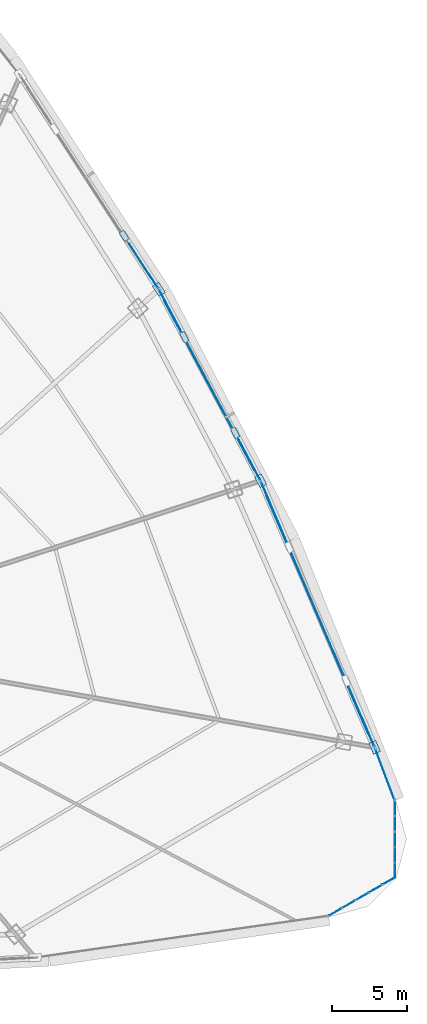
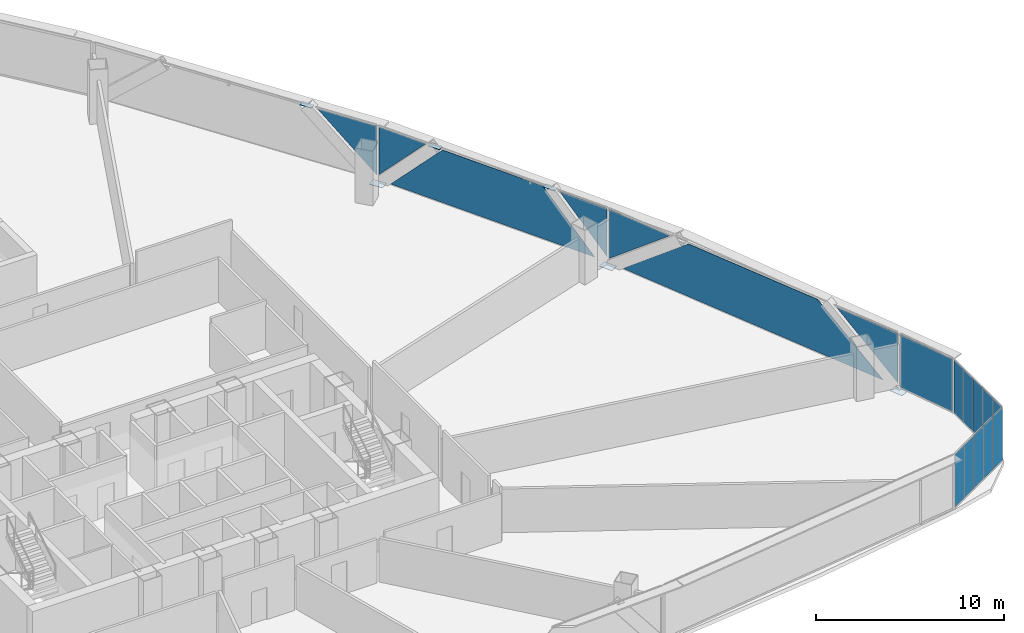
# One storey, part 30 of 39: 24 plates, 6 elements without a shape of their own.
"""IFC4 building model written with IfcOpenShell, lengths in metres."""

import ifcopenshell
import ifcopenshell.guid

model = None  # the IFC model being written
_history = None  # IfcOwnerHistory: only IFC2X3 demands one
_inside = {}  # id of a spatial element -> (the spatial element, [elements in it])
_under = {}  # id of a project, library or spatial element -> (it, [spatial elements below it])
_declared = {}  # id of a project -> (the project, [libraries it declares])
_typed = {}  # id of a type object -> (the type object, [elements of that type])
_made_of = {}  # id of a material, layer set ... -> (it, [elements and type objects made of it])


def new_model(schema):
    """Start an empty IFC model of exactly this schema.

    Asked for "IFC4X3", IfcOpenShell would pick the latest addendum, in which some entities
    have other attributes; the version numbers below select the first issue.
    IFC2X3 requires an IfcOwnerHistory on every rooted entity: one is made here for all.
    """
    global model, _history
    if schema == "IFC4X3":
        model = ifcopenshell.file(schema_version=(4, 3, 0, 0))
    else:
        model = ifcopenshell.file(schema=schema)
    _inside.clear()
    _under.clear()
    _declared.clear()
    _typed.clear()
    _made_of.clear()
    _history = None
    if model.schema == "IFC2X3":
        org = make("IfcOrganization", Name="unknown")
        user = make(
            "IfcPersonAndOrganization",
            ThePerson=make("IfcPerson", FamilyName="unknown"),
            TheOrganization=org,
        )
        app = make(
            "IfcApplication",
            ApplicationDeveloper=org,
            Version="unknown",
            ApplicationFullName="unknown",
            ApplicationIdentifier="unknown",
        )
        _history = make(
            "IfcOwnerHistory",
            OwningUser=user,
            OwningApplication=app,
            ChangeAction="ADDED",
            CreationDate=0,
        )
    return model


def make(cls, **values):
    """One entity of the class cls with the attributes given. An attribute that is None is left unset."""
    return model.create_entity(
        cls, **{name: value for name, value in values.items() if value is not None}
    )


def rooted(cls, **values):
    """An entity with a GlobalId (a new one), such as an element, a storey or a relation."""
    return make(cls, GlobalId=ifcopenshell.guid.new(), OwnerHistory=_history, **values)


def si_unit(unit_type, name, prefix=None):
    """IfcSIUnit, for example si_unit("LENGTHUNIT", "METRE", prefix="MILLI")."""
    return make("IfcSIUnit", UnitType=unit_type, Prefix=prefix, Name=name)


def assignment(units):
    """IfcUnitAssignment: the units of a project."""
    return None if units is None else make("IfcUnitAssignment", Units=units)


def point(xyz):
    """IfcCartesianPoint."""
    return None if xyz is None else make("IfcCartesianPoint", Coordinates=xyz)


def direction(xyz):
    """IfcDirection."""
    return None if xyz is None else make("IfcDirection", DirectionRatios=xyz)


def frame(location, z_axis=None, x_axis=None):
    """IfcAxis2Placement3D, a coordinate frame: its origin and axes. An axis left out is left unset."""
    return make(
        "IfcAxis2Placement3D",
        Location=point(location),
        Axis=direction(z_axis),
        RefDirection=direction(x_axis),
    )


def frame_2d(location, x_axis=None):
    """IfcAxis2Placement2D, a coordinate frame in the plane: its origin and x axis."""
    return make(
        "IfcAxis2Placement2D", Location=point(location), RefDirection=direction(x_axis)
    )


def origin():
    """The frame at (0, 0, 0) with its axes left unset."""
    return frame((0.0, 0.0, 0.0))


def origin_2d():
    """The frame at (0, 0) in the plane with its x axis left unset."""
    return frame_2d((0.0, 0.0))


def place(relative_to, where):
    """IfcLocalPlacement: puts the frame where relative to a parent placement (None: the world)."""
    return make(
        "IfcLocalPlacement", PlacementRelTo=relative_to, RelativePlacement=where
    )


def context(
    kind, dimensions, precision=None, world=None, true_north=None, identifier=None
):
    """IfcGeometricRepresentationContext, for example the 3D "Model" context."""
    return make(
        "IfcGeometricRepresentationContext",
        ContextIdentifier=identifier,
        ContextType=kind,
        CoordinateSpaceDimension=dimensions,
        Precision=precision,
        WorldCoordinateSystem=world,
        TrueNorth=true_north,
    )


def subcontext(parent, identifier, kind, view, scale=None):
    """IfcGeometricRepresentationSubContext, for example "Body" below "Model"."""
    return make(
        "IfcGeometricRepresentationSubContext",
        ContextIdentifier=identifier,
        ContextType=kind,
        ParentContext=parent,
        TargetScale=scale,
        TargetView=view,
    )


def project(units=None, contexts=None):
    """IfcProject with its units and contexts."""
    return rooted(
        "IfcProject",
        Name="project",
        RepresentationContexts=contexts,
        UnitsInContext=assignment(units),
    )


def spatial(cls, under=None, at=None, **own):
    """A site, building, storey or space (cls), placed at a placement, below another one or the project."""
    s = rooted(cls, ObjectPlacement=at, **own)
    if under is not None:
        _under.setdefault(under.id(), (under, []))[1].append(s)
    return s


def polyline(points):
    """IfcPolyline through the points."""
    return make("IfcPolyline", Points=[point(p) for p in points])


def profile(cls, at=None, kind="AREA", **sizes):
    """A parametric profile (cls). Its sizes go by their IFC names, for example OverallWidth=200.0."""
    return make(cls, ProfileType=kind, Position=at, **sizes)


def rectangle(**sizes):
    """IfcRectangleProfileDef."""
    return profile("IfcRectangleProfileDef", **sizes)


def outline(outer, holes=None, kind="AREA"):
    """IfcArbitraryClosedProfileDef: a profile drawn as a closed curve; with holes, ...WithVoids."""
    if holes is None:
        return make("IfcArbitraryClosedProfileDef", ProfileType=kind, OuterCurve=outer)
    return make(
        "IfcArbitraryProfileDefWithVoids",
        ProfileType=kind,
        OuterCurve=outer,
        InnerCurves=holes,
    )


def extrude(swept, where, along, depth):
    """IfcExtrudedAreaSolid: the profile swept, set in the frame where, extruded along a direction by depth."""
    return make(
        "IfcExtrudedAreaSolid",
        SweptArea=swept,
        Position=where,
        ExtrudedDirection=direction(along),
        Depth=depth,
    )


def shape(context_of_items, identifier, shape_type, items):
    """IfcShapeRepresentation: the items that make up one representation, for example the "Body"."""
    return make(
        "IfcShapeRepresentation",
        ContextOfItems=context_of_items,
        RepresentationIdentifier=identifier,
        RepresentationType=shape_type,
        Items=items,
    )


def source(mapping_origin, context_of_items, identifier, shape_type, items):
    """IfcRepresentationMap: a shape defined once, which mapped items show again and again."""
    return make(
        "IfcRepresentationMap",
        MappingOrigin=mapping_origin,
        MappedRepresentation=shape(context_of_items, identifier, shape_type, items),
    )


def transform(
    local_origin,
    x_axis=None,
    y_axis=None,
    z_axis=None,
    scale=None,
    scale2=None,
    scale3=None,
    uniform=True,
):
    """IfcCartesianTransformationOperator3D, or its non-uniform kind. x_axis, y_axis, z_axis: its Axis1, 2, 3."""
    if uniform:
        return make(
            "IfcCartesianTransformationOperator3D",
            Axis1=direction(x_axis),
            Axis2=direction(y_axis),
            LocalOrigin=point(local_origin),
            Scale=scale,
            Axis3=direction(z_axis),
        )
    return make(
        "IfcCartesianTransformationOperator3DnonUniform",
        Axis1=direction(x_axis),
        Axis2=direction(y_axis),
        LocalOrigin=point(local_origin),
        Scale=scale,
        Axis3=direction(z_axis),
        Scale2=scale2,
        Scale3=scale3,
    )


def mapped(mapping_source, mapping_target):
    """IfcMappedItem: shows the shape of a source again, moved by a transform."""
    return make(
        "IfcMappedItem", MappingSource=mapping_source, MappingTarget=mapping_target
    )


def material(Name=None, Category=None):
    """IfcMaterial."""
    return make("IfcMaterial", Name=Name, Category=Category)


def layer(
    of_material, thickness, ventilated=None, Name=None, Category=None, Priority=None
):
    """IfcMaterialLayer: one layer of a wall or slab, of a material (None: an air gap)."""
    return make(
        "IfcMaterialLayer",
        Material=of_material,
        LayerThickness=thickness,
        IsVentilated=ventilated,
        Name=Name,
        Category=Category,
        Priority=Priority,
    )


def layer_set(layers, Name=None):
    """IfcMaterialLayerSet."""
    return make("IfcMaterialLayerSet", MaterialLayers=layers, LayerSetName=Name)


def made_of(thing, what):
    """Note that an element or type object is made of a material, layer set ...; save() writes the relation."""
    if what is not None:
        _made_of.setdefault(what.id(), (what, []))[1].append(thing)
    return thing


def type_object(cls, material=None, **own):
    """A type object (cls), such as IfcWallType, which elements share."""
    return made_of(rooted(cls, **own), material)


def element(
    cls,
    number,
    at=None,
    inside=None,
    cuts=None,
    type_object=None,
    material=None,
    context=None,
    identifier="Body",
    shape_type=None,
    held_by="IfcProductDefinitionShape",
    body=None,
    shapes=None,
    **own,
):
    """One element of the class cls, such as IfcWall. Its Tag is "e" and its number.

    at: its placement. inside: the storey or other place that contains it. cuts: it is an
    opening in that element (IfcRelVoidsElement). A single representation is given by context,
    identifier, shape_type and body (its items); several are given by shapes. held_by: the class
    of the entity that holds the representations. save() writes the other relations.
    """
    e = rooted(cls, Tag="e%d" % number, ObjectPlacement=at, **own)
    if body is not None:
        shapes = [shape(context, identifier, shape_type, body)]
    if shapes is not None:
        e.Representation = make(held_by, Representations=shapes)
    if inside is not None:
        _inside.setdefault(inside.id(), (inside, []))[1].append(e)
    if cuts is not None:
        rooted(
            "IfcRelVoidsElement", RelatingBuildingElement=cuts, RelatedOpeningElement=e
        )
    if type_object is not None:
        _typed.setdefault(type_object.id(), (type_object, []))[1].append(e)
    return made_of(e, material)


def aggregate(whole, parts):
    """IfcRelAggregates: a whole, such as a stair, and the parts it consists of."""
    return rooted("IfcRelAggregates", RelatingObject=whole, RelatedObjects=parts)


def save(model, path):
    """Write the relations noted so far, then the file.

    IfcRelAggregates (storeys below a building ...), IfcRelContainedInSpatialStructure (elements
    in a storey), IfcRelDefinesByType, IfcRelAssociatesMaterial and IfcRelDeclares: one each for
    every whole, place, type object, material and project.
    """
    for whole, parts in _under.values():
        aggregate(whole, parts)
    for where, things in _inside.values():
        rooted(
            "IfcRelContainedInSpatialStructure",
            RelatedElements=things,
            RelatingStructure=where,
        )
    for kind, things in _typed.values():
        rooted("IfcRelDefinesByType", RelatedObjects=things, RelatingType=kind)
    for what, things in _made_of.values():
        rooted("IfcRelAssociatesMaterial", RelatedObjects=things, RelatingMaterial=what)
    for by, libraries in _declared.values():
        rooted("IfcRelDeclares", RelatingContext=by, RelatedDefinitions=libraries)
    model.write(path)


model = new_model("IFC4")

# Units and contexts
model_context = context("Model", 3, precision=1e-05, world=origin(), true_north=direction((0.0, 1.0)))
body_context = subcontext(model_context, "Body", "Model", "MODEL_VIEW")
ifc_project = project(units=[si_unit("LENGTHUNIT", "METRE"), si_unit("AREAUNIT", "SQUARE_METRE"), si_unit("VOLUMEUNIT", "CUBIC_METRE"), si_unit("PLANEANGLEUNIT", "RADIAN"), si_unit("MASSUNIT", "GRAM", prefix="KILO"), si_unit("THERMODYNAMICTEMPERATUREUNIT", "KELVIN"), si_unit("POWERUNIT", "WATT")], contexts=[model_context])

# Site, building, storey
site_placement = place(None, origin())
site = spatial("IfcSite", under=ifc_project, at=site_placement, CompositionType="ELEMENT")
building_placement = place(site_placement, origin())
building = spatial("IfcBuilding", under=site, at=building_placement, Name="Yunzhuo Pagoda Commons", CompositionType="ELEMENT")
storey_placement = place(building_placement, frame((0.0, 0.0, 96.3798828125)))
storey = spatial("IfcBuildingStorey", under=building, at=storey_placement, Name="L24", CompositionType="ELEMENT", Elevation=96.3798828125)

# Curtain wall, plates
ifc_material_1 = material(Name="Anodized aluminium 6063-T6", Category="aluminium")
ifc_layer_1 = layer(ifc_material_1, 0.1650390625)
ifc_layer_set_1 = layer_set([ifc_layer_1], Name="Anodized aluminium 6063-T6")
curtain_wall_type_1 = type_object("IfcCurtainWallType", Name="CW-LOW Low-Zone Ribbon Curtain Wall", PredefinedType="NOTDEFINED", material=ifc_layer_set_1)
curtain_wall_1_placement = place(storey_placement, origin())
curtain_wall_1 = element("IfcCurtainWall", 1, at=curtain_wall_1_placement, inside=storey, type_object=curtain_wall_type_1, Name="L24 curtain wall CW-L24-F2B2", PredefinedType="NOTDEFINED")
ifc_material_2 = material(Name="Tempered low-e double glazing", Category="glass")
ifc_layer_2 = layer(ifc_material_2, 0.028076171875)
ifc_layer_set_2 = layer_set([ifc_layer_2], Name="Tempered low-e double glazing")
plate_type_1 = type_object("IfcPlateType", Name="CW-LOW-P Low-E Double Glazing 28", PredefinedType="CURTAIN_PANEL", material=ifc_layer_set_2)
plate_1_placement = place(storey_placement, frame((87.563232421875, 28.5048828125, 1.877197265625), z_axis=(0.919382894415, 0.393363818185, 0.0), x_axis=(-0.393363818185, 0.919382894415, 0.0)))
plate_1 = element("IfcPlate", 2, at=plate_1_placement, type_object=plate_type_1, Name="CW panel 1.1 lite 1", PredefinedType="CURTAIN_PANEL", context=body_context, shape_type="SweptSolid", body=[
    extrude(outline(polyline([(-2.039306640625, -1.602783203125), (2.039306640625, 1.602783203125), (-2.039306640625, 1.602783203125), (-2.039306640625, -1.602783203125)])), origin(), (0.0, 0.0, 1.0), 0.028076171875),
])
plate_2_placement = place(storey_placement, frame((84.5595703125, 35.448486328125, 1.77001953125), z_axis=(0.919382894415, 0.393363818185, 0.0), x_axis=(-0.393363818185, 0.919382894415, 0.0)))
plate_2 = element("IfcPlate", 3, at=plate_2_placement, type_object=plate_type_1, Name="CW panel 1.1 lite 2", PredefinedType="CURTAIN_PANEL", context=body_context, shape_type="SweptSolid", body=[
    extrude(outline(polyline([(-8.647705078125, -1.7099609375), (8.647705078125, -1.7099609375), (4.29638671875, 1.7099609375), (-4.29638671875, 1.7099609375), (-8.647705078125, -1.7099609375)])), origin(), (0.0, 0.0, 1.0), 0.028076171875),
])
plate_3_placement = place(storey_placement, frame((81.611328125, 42.415771484375, 1.877197265625), z_axis=(0.919382894415, 0.393363818185, 0.0), x_axis=(-0.393363818185, 0.919382894415, 0.0)))
plate_3 = element("IfcPlate", 4, at=plate_3_placement, type_object=plate_type_1, Name="CW panel 1.1 lite 3", PredefinedType="CURTAIN_PANEL", context=body_context, shape_type="SweptSolid", body=[
    extrude(outline(polyline([(-2.039306640625, 1.602783203125), (2.039306640625, -1.602783203125), (2.039306640625, 1.602783203125), (-2.039306640625, 1.602783203125)])), origin(), (0.0, 0.0, 1.0), 0.028076171875),
])
aggregate(curtain_wall_1, [plate_1, plate_2, plate_3])

curtain_wall_2_placement = place(storey_placement, origin())
curtain_wall_2 = element("IfcCurtainWall", 5, at=curtain_wall_2_placement, inside=storey, type_object=curtain_wall_type_1, Name="L24 curtain wall CW-L24-F2B3", PredefinedType="NOTDEFINED")
plate_4_placement = place(storey_placement, frame((80.056884765625, 45.717041015625, 1.919921875), z_axis=(0.882975865639, 0.469418385558, 0.0), x_axis=(-0.469418385558, 0.882975865639, 0.0)))
plate_4 = element("IfcPlate", 6, at=plate_4_placement, type_object=plate_type_1, Name="CW panel 1.1 lite 1", PredefinedType="CURTAIN_PANEL", context=body_context, shape_type="SweptSolid", body=[
    extrude(outline(polyline([(-1.483642578125, -1.56005859375), (1.48388671875, 1.56005859375), (-1.483642578125, 1.56005859375), (-1.483642578125, -1.56005859375)])), origin(), (0.0, 0.0, 1.0), 0.028076171875),
])
plate_5_placement = place(storey_placement, frame((77.36474609375, 50.717529296875, 1.77001953125), z_axis=(0.882975865639, 0.469418385558, 0.0), x_axis=(-0.469418385558, 0.882975865639, 0.0)))
plate_5 = element("IfcPlate", 7, at=plate_5_placement, type_object=plate_type_1, Name="CW panel 1.1 lite 2", PredefinedType="CURTAIN_PANEL", context=body_context, shape_type="SweptSolid", body=[
    extrude(outline(polyline([(-6.39892578125, -1.7099609375), (6.39892578125, -1.7099609375), (3.146484375, 1.7099609375), (-3.146484375, 1.7099609375), (-6.39892578125, -1.7099609375)])), origin(), (0.0, 0.0, 1.0), 0.028076171875),
])
plate_6_placement = place(storey_placement, frame((74.725341796875, 55.74609375, 1.919921875), z_axis=(0.882975865639, 0.469418385558, 0.0), x_axis=(-0.469418385558, 0.882975865639, 0.0)))
plate_6 = element("IfcPlate", 8, at=plate_6_placement, type_object=plate_type_1, Name="CW panel 1.1 lite 3", PredefinedType="CURTAIN_PANEL", context=body_context, shape_type="SweptSolid", body=[
    extrude(outline(polyline([(-1.48388671875, 1.56005859375), (1.483642578125, -1.56005859375), (1.483642578125, 1.56005859375), (-1.48388671875, 1.56005859375)])), origin(), (0.0, 0.0, 1.0), 0.028076171875),
])
aggregate(curtain_wall_2, [plate_4, plate_5, plate_6])

# Curtain wall, plate
curtain_wall_3_placement = place(storey_placement, origin())
curtain_wall_3 = element("IfcCurtainWall", 9, at=curtain_wall_3_placement, inside=storey, type_object=curtain_wall_type_1, Name="L24 curtain wall CW-L24-F2B4", PredefinedType="NOTDEFINED")
plate_7_placement = place(storey_placement, frame((72.99951171875, 58.6533203125, 1.894287109375), z_axis=(0.838972259493, 0.544174188841, 0.0), x_axis=(-0.544174188841, 0.838972259493, 0.0)))
plate_7 = element("IfcPlate", 10, at=plate_7_placement, type_object=plate_type_1, Name="CW panel 1.1 lite 1", PredefinedType="CURTAIN_PANEL", context=body_context, shape_type="SweptSolid", body=[
    extrude(outline(polyline([(-1.771728515625, -1.5859375), (1.771728515625, 1.5859375), (-1.771728515625, 1.5859375), (-1.771728515625, -1.5859375)])), origin(), (0.0, 0.0, 1.0), 0.028076171875),
])
aggregate(curtain_wall_3, [plate_7])

# Plates
ifc_material_3 = material(Name="Structural steel Q355B", Category="steel")
ifc_layer_3 = layer(ifc_material_3, 0.028076171875)
ifc_layer_set_3 = layer_set([ifc_layer_3], Name="Structural steel Q355B")
plate_type_2 = type_object("IfcPlateType", Name="SP-ND1 Lattice Node Cap Plate 800x500x28", PredefinedType="USERDEFINED", material=ifc_layer_set_3)
shared_shape_1 = source(origin(), body_context, "Body", "SweptSolid", [
    extrude(rectangle(XDim=0.800048828125, YDim=0.5, at=origin_2d()), origin(), (0.0, 0.0, 1.0), 0.028076171875),
])
for number, where, z_axis, x_axis, name in (
    (11, (88.40380859375, 26.57568359375, -0.27392578125), (0.0, 0.0, 1.0), (-0.393364322102, 0.919382678811, 0.0), "L24 diamond node plate F2.1A"),
    (12, (80.79638671875, 44.356201171875, -0.27392578125), (0.0, 0.0, 1.0), (-0.469425331115, 0.882972173122, 0.0), "L24 diamond node plate F2.2A"),
    (13, (74.0107421875, 57.1201171875, -0.27392578125), (0.0, 0.0, 1.0), (-0.544170548087, 0.838974620948, 0.0), "L24 diamond node plate F2.3A"),
):
    element("IfcPlate", number, at=place(storey_placement, frame(where, z_axis=z_axis, x_axis=x_axis)), inside=storey, type_object=plate_type_2, Name=name, ObjectType="STIFFENER_PLATE", PredefinedType="USERDEFINED", context=body_context, shape_type="MappedRepresentation", body=[
        mapped(shared_shape_1, transform((0.0, 0.0, 0.0), scale=1.0)),
    ])
shared_shape_2 = source(origin(), body_context, "Body", "SweptSolid", [
    extrude(rectangle(XDim=0.699951171875, YDim=0.35009765625, at=origin_2d()), origin(), (0.0, 0.0, 1.0), 0.035888671875),
])
for number, where, z_axis, x_axis, name in (
    (14, (79.10009765625, 47.547119140625, 3.501953125), (0.0, 0.0, 1.0), (-0.469425331115, 0.882972173122, 0.0), "L24 setback lattice tie plate F2.2L"),
    (15, (75.70703125, 53.92919921875, 3.501953125), (0.0, 0.0, 1.0), (-0.469425331115, 0.882972173122, 0.0), "L24 setback lattice tie plate F2.2R"),
    (16, (71.70068359375, 60.681640625, 3.501953125), (0.0, 0.0, 1.0), (-0.544170548087, 0.838974620948, 0.0), "L24 setback lattice tie plate F2.3L"),
):
    element("IfcPlate", number, at=place(storey_placement, frame(where, z_axis=z_axis, x_axis=x_axis)), inside=storey, type_object=plate_type_2, Name=name, ObjectType="STIFFENER_PLATE", PredefinedType="USERDEFINED", context=body_context, shape_type="MappedRepresentation", body=[
        mapped(shared_shape_2, transform((0.0, 0.0, 0.0), scale=1.0)),
    ])

# Curtain wall, plate
curtain_wall_4_placement = place(storey_placement, origin())
curtain_wall_4 = element("IfcCurtainWall", 17, at=curtain_wall_4_placement, inside=storey, type_object=curtain_wall_type_1, Name="L24 curtain wall CW-L24-F2B1", PredefinedType="NOTDEFINED")
shared_shape_3 = source(origin(), body_context, "Body", "SweptSolid", [
    extrude(rectangle(XDim=3.582763671875, YDim=0.028076171875, at=origin_2d()), origin(), (0.0, 0.0, 1.0), 3.419921875),
])
plate_8_placement = place(storey_placement, frame((89.086669921875, 24.768798828125, 0.06005859375), z_axis=(0.0, 0.0, 1.0), x_axis=(-0.353448231461, 0.935454086355, 0.0)))
plate_8 = element("IfcPlate", 18, at=plate_8_placement, type_object=plate_type_1, Name="CW panel 1.1", PredefinedType="CURTAIN_PANEL", context=body_context, shape_type="MappedRepresentation", body=[
    mapped(shared_shape_3, transform((0.0, 0.0, 0.0), scale=1.0)),
])
aggregate(curtain_wall_4, [plate_8])

# Curtain wall, plates
ifc_layer_4 = layer(ifc_material_1, 0.1298828125)
ifc_layer_set_4 = layer_set([ifc_layer_4], Name="Anodized aluminium 6063-T6")
curtain_wall_type_2 = type_object("IfcCurtainWallType", Name="CW-VTX Rounded Corner Curtain Wall", PredefinedType="NOTDEFINED", material=ifc_layer_set_4)
curtain_wall_5_placement = place(storey_placement, origin())
curtain_wall_5 = element("IfcCurtainWall", 19, at=curtain_wall_5_placement, inside=storey, type_object=curtain_wall_type_2, Name="L24 curtain wall CW-L24-VTX2S1", PredefinedType="NOTDEFINED")
ifc_layer_5 = layer(ifc_material_2, 0.02587890625)
ifc_layer_set_5 = layer_set([ifc_layer_5], Name="Tempered low-e double glazing")
plate_type_3 = type_object("IfcPlateType", Name="CW-VTX-P Low-E Double Glazing 26", PredefinedType="CURTAIN_PANEL", material=ifc_layer_set_5)
shared_shape_4 = source(origin(), body_context, "Body", "SweptSolid", [
    extrude(rectangle(XDim=0.953125, YDim=0.028076171875, at=origin_2d()), origin(), (0.0, 0.0, 1.0), 3.429931640625),
])
plate_9_placement = place(storey_placement, frame((85.7802734375, 15.59619140625, 0.05517578125), z_axis=(0.0, 0.0, 1.0), x_axis=(0.865426726249, 0.501035509214, 0.0)))
plate_9 = element("IfcPlate", 20, at=plate_9_placement, type_object=plate_type_3, Name="CW panel 1.1", PredefinedType="CURTAIN_PANEL", context=body_context, shape_type="MappedRepresentation", body=[
    mapped(shared_shape_4, transform((0.0, 0.0, 0.0), scale=1.0)),
])
plate_10_placement = place(storey_placement, frame((89.341064453125, 17.65771484375, 0.05517578125), z_axis=(0.0, 0.0, 1.0), x_axis=(0.865426726249, 0.501035509214, 0.0)))
plate_10 = element("IfcPlate", 21, at=plate_10_placement, type_object=plate_type_3, Name="CW panel 5.1", PredefinedType="CURTAIN_PANEL", context=body_context, shape_type="MappedRepresentation", body=[
    mapped(shared_shape_4, transform((0.0, 0.0, 0.0), scale=1.0)),
])

curtain_wall_6_placement = place(storey_placement, origin())
curtain_wall_6 = element("IfcCurtainWall", 22, at=curtain_wall_6_placement, inside=storey, type_object=curtain_wall_type_2, Name="L24 curtain wall CW-L24-VTX2S2", PredefinedType="NOTDEFINED")
plate_11_placement = place(storey_placement, frame((89.75927734375, 18.38623046875, 0.05517578125), z_axis=(0.0, 0.0, 1.0), x_axis=(-0.003572992237, 0.999993616843, 0.0)))
plate_11 = element("IfcPlate", 23, at=plate_11_placement, type_object=plate_type_3, Name="CW panel 1.1", PredefinedType="CURTAIN_PANEL", context=body_context, shape_type="MappedRepresentation", body=[
    mapped(shared_shape_4, transform((0.0, 0.0, 0.0), scale=1.0)),
])
plate_12_placement = place(storey_placement, frame((89.74462890625, 22.500732421875, 0.05517578125), z_axis=(0.0, 0.0, 1.0), x_axis=(-0.003572992237, 0.999993616843, 0.0)))
plate_12 = element("IfcPlate", 24, at=plate_12_placement, type_object=plate_type_3, Name="CW panel 5.1", PredefinedType="CURTAIN_PANEL", context=body_context, shape_type="MappedRepresentation", body=[
    mapped(shared_shape_4, transform((0.0, 0.0, 0.0), scale=1.0)),
])

# Plate
shared_shape_5 = source(origin(), body_context, "Body", "SweptSolid", [
    extrude(rectangle(XDim=0.98046875, YDim=0.028076171875, at=origin_2d()), origin(), (0.0, 0.0, 1.0), 3.429931640625),
])
plate_13_placement = place(storey_placement, frame((86.66455078125, 16.108154296875, 0.05517578125), z_axis=(0.0, 0.0, 1.0), x_axis=(0.865426726249, 0.501035509214, 0.0)))
plate_13 = element("IfcPlate", 25, at=plate_13_placement, type_object=plate_type_3, Name="CW panel 2.1", PredefinedType="CURTAIN_PANEL", context=body_context, shape_type="MappedRepresentation", body=[
    mapped(shared_shape_5, transform((0.0, 0.0, 0.0), scale=1.0)),
])

plate_14_placement = place(storey_placement, frame((87.560546875, 16.626953125, 0.05517578125), z_axis=(0.0, 0.0, 1.0), x_axis=(0.865426726249, 0.501035509214, 0.0)))
plate_14 = element("IfcPlate", 26, at=plate_14_placement, type_object=plate_type_3, Name="CW panel 3.1", PredefinedType="CURTAIN_PANEL", context=body_context, shape_type="MappedRepresentation", body=[
    mapped(shared_shape_5, transform((0.0, 0.0, 0.0), scale=1.0)),
])

plate_15_placement = place(storey_placement, frame((88.456787109375, 17.145751953125, 0.05517578125), z_axis=(0.0, 0.0, 1.0), x_axis=(0.865426726249, 0.501035509214, 0.0)))
plate_15 = element("IfcPlate", 27, at=plate_15_placement, type_object=plate_type_3, Name="CW panel 4.1", PredefinedType="CURTAIN_PANEL", context=body_context, shape_type="MappedRepresentation", body=[
    mapped(shared_shape_5, transform((0.0, 0.0, 0.0), scale=1.0)),
])

aggregate(curtain_wall_5, [plate_9, plate_13, plate_14, plate_15, plate_10])

plate_16_placement = place(storey_placement, frame((89.755615234375, 19.407958984375, 0.05517578125), z_axis=(0.0, 0.0, 1.0), x_axis=(-0.003572992237, 0.999993616843, 0.0)))
plate_16 = element("IfcPlate", 28, at=plate_16_placement, type_object=plate_type_3, Name="CW panel 2.1", PredefinedType="CURTAIN_PANEL", context=body_context, shape_type="MappedRepresentation", body=[
    mapped(shared_shape_5, transform((0.0, 0.0, 0.0), scale=1.0)),
])

plate_17_placement = place(storey_placement, frame((89.751953125, 20.443359375, 0.05517578125), z_axis=(0.0, 0.0, 1.0), x_axis=(-0.003572992237, 0.999993616843, 0.0)))
plate_17 = element("IfcPlate", 29, at=plate_17_placement, type_object=plate_type_3, Name="CW panel 3.1", PredefinedType="CURTAIN_PANEL", context=body_context, shape_type="MappedRepresentation", body=[
    mapped(shared_shape_5, transform((0.0, 0.0, 0.0), scale=1.0)),
])

plate_18_placement = place(storey_placement, frame((89.748291015625, 21.47900390625, 0.05517578125), z_axis=(0.0, 0.0, 1.0), x_axis=(-0.003572992237, 0.999993616843, 0.0)))
plate_18 = element("IfcPlate", 30, at=plate_18_placement, type_object=plate_type_3, Name="CW panel 4.1", PredefinedType="CURTAIN_PANEL", context=body_context, shape_type="MappedRepresentation", body=[
    mapped(shared_shape_5, transform((0.0, 0.0, 0.0), scale=1.0)),
])

aggregate(curtain_wall_6, [plate_11, plate_16, plate_17, plate_18, plate_12])

save(model, "model.ifc")
